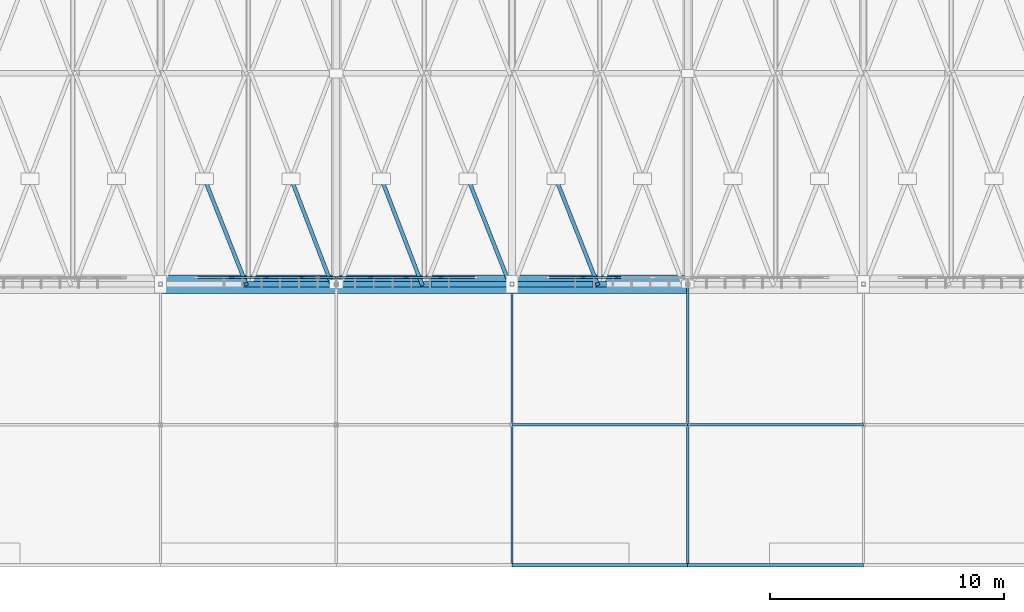
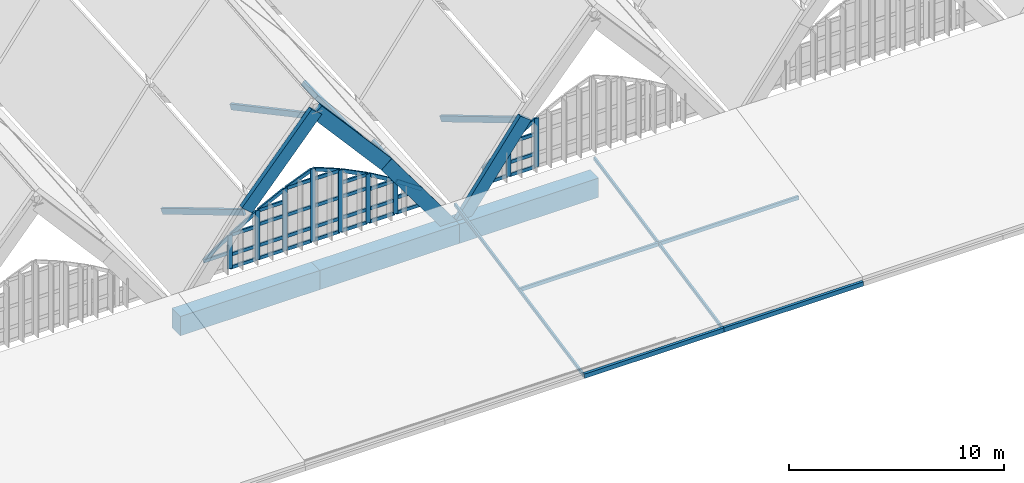
# One storey, part 31 of 93: 60 members, 7 beams, 2 elements without a shape of their own.
"""IFC4 building model written with IfcOpenShell, lengths in metres."""

import ifcopenshell
import ifcopenshell.guid

model = None  # the IFC model being written
_history = None  # IfcOwnerHistory: only IFC2X3 demands one
_inside = {}  # id of a spatial element -> (the spatial element, [elements in it])
_under = {}  # id of a project, library or spatial element -> (it, [spatial elements below it])
_declared = {}  # id of a project -> (the project, [libraries it declares])
_typed = {}  # id of a type object -> (the type object, [elements of that type])
_made_of = {}  # id of a material, layer set ... -> (it, [elements and type objects made of it])


def new_model(schema):
    """Start an empty IFC model of exactly this schema.

    Asked for "IFC4X3", IfcOpenShell would pick the latest addendum, in which some entities
    have other attributes; the version numbers below select the first issue.
    IFC2X3 requires an IfcOwnerHistory on every rooted entity: one is made here for all.
    """
    global model, _history
    if schema == "IFC4X3":
        model = ifcopenshell.file(schema_version=(4, 3, 0, 0))
    else:
        model = ifcopenshell.file(schema=schema)
    _inside.clear()
    _under.clear()
    _declared.clear()
    _typed.clear()
    _made_of.clear()
    _history = None
    if model.schema == "IFC2X3":
        org = make("IfcOrganization", Name="unknown")
        user = make(
            "IfcPersonAndOrganization",
            ThePerson=make("IfcPerson", FamilyName="unknown"),
            TheOrganization=org,
        )
        app = make(
            "IfcApplication",
            ApplicationDeveloper=org,
            Version="unknown",
            ApplicationFullName="unknown",
            ApplicationIdentifier="unknown",
        )
        _history = make(
            "IfcOwnerHistory",
            OwningUser=user,
            OwningApplication=app,
            ChangeAction="ADDED",
            CreationDate=0,
        )
    return model


def make(cls, **values):
    """One entity of the class cls with the attributes given. An attribute that is None is left unset."""
    return model.create_entity(
        cls, **{name: value for name, value in values.items() if value is not None}
    )


def rooted(cls, **values):
    """An entity with a GlobalId (a new one), such as an element, a storey or a relation."""
    return make(cls, GlobalId=ifcopenshell.guid.new(), OwnerHistory=_history, **values)


def si_unit(unit_type, name, prefix=None):
    """IfcSIUnit, for example si_unit("LENGTHUNIT", "METRE", prefix="MILLI")."""
    return make("IfcSIUnit", UnitType=unit_type, Prefix=prefix, Name=name)


def assignment(units):
    """IfcUnitAssignment: the units of a project."""
    return None if units is None else make("IfcUnitAssignment", Units=units)


def point(xyz):
    """IfcCartesianPoint."""
    return None if xyz is None else make("IfcCartesianPoint", Coordinates=xyz)


def direction(xyz):
    """IfcDirection."""
    return None if xyz is None else make("IfcDirection", DirectionRatios=xyz)


def frame(location, z_axis=None, x_axis=None):
    """IfcAxis2Placement3D, a coordinate frame: its origin and axes. An axis left out is left unset."""
    return make(
        "IfcAxis2Placement3D",
        Location=point(location),
        Axis=direction(z_axis),
        RefDirection=direction(x_axis),
    )


def frame_2d(location, x_axis=None):
    """IfcAxis2Placement2D, a coordinate frame in the plane: its origin and x axis."""
    return make(
        "IfcAxis2Placement2D", Location=point(location), RefDirection=direction(x_axis)
    )


def origin():
    """The frame at (0, 0, 0) with its axes left unset."""
    return frame((0.0, 0.0, 0.0))


def origin_2d():
    """The frame at (0, 0) in the plane with its x axis left unset."""
    return frame_2d((0.0, 0.0))


def place(relative_to, where):
    """IfcLocalPlacement: puts the frame where relative to a parent placement (None: the world)."""
    return make(
        "IfcLocalPlacement", PlacementRelTo=relative_to, RelativePlacement=where
    )


def context(
    kind, dimensions, precision=None, world=None, true_north=None, identifier=None
):
    """IfcGeometricRepresentationContext, for example the 3D "Model" context."""
    return make(
        "IfcGeometricRepresentationContext",
        ContextIdentifier=identifier,
        ContextType=kind,
        CoordinateSpaceDimension=dimensions,
        Precision=precision,
        WorldCoordinateSystem=world,
        TrueNorth=true_north,
    )


def subcontext(parent, identifier, kind, view, scale=None):
    """IfcGeometricRepresentationSubContext, for example "Body" below "Model"."""
    return make(
        "IfcGeometricRepresentationSubContext",
        ContextIdentifier=identifier,
        ContextType=kind,
        ParentContext=parent,
        TargetScale=scale,
        TargetView=view,
    )


def project(units=None, contexts=None):
    """IfcProject with its units and contexts."""
    return rooted(
        "IfcProject",
        Name="project",
        RepresentationContexts=contexts,
        UnitsInContext=assignment(units),
    )


def spatial(cls, under=None, at=None, **own):
    """A site, building, storey or space (cls), placed at a placement, below another one or the project."""
    s = rooted(cls, ObjectPlacement=at, **own)
    if under is not None:
        _under.setdefault(under.id(), (under, []))[1].append(s)
    return s


def profile(cls, at=None, kind="AREA", **sizes):
    """A parametric profile (cls). Its sizes go by their IFC names, for example OverallWidth=200.0."""
    return make(cls, ProfileType=kind, Position=at, **sizes)


def rectangle(**sizes):
    """IfcRectangleProfileDef."""
    return profile("IfcRectangleProfileDef", **sizes)


def hollow_rectangle(**sizes):
    """IfcRectangleHollowProfileDef."""
    return profile("IfcRectangleHollowProfileDef", **sizes)


def extrude(swept, where, along, depth):
    """IfcExtrudedAreaSolid: the profile swept, set in the frame where, extruded along a direction by depth."""
    return make(
        "IfcExtrudedAreaSolid",
        SweptArea=swept,
        Position=where,
        ExtrudedDirection=direction(along),
        Depth=depth,
    )


def shape(context_of_items, identifier, shape_type, items):
    """IfcShapeRepresentation: the items that make up one representation, for example the "Body"."""
    return make(
        "IfcShapeRepresentation",
        ContextOfItems=context_of_items,
        RepresentationIdentifier=identifier,
        RepresentationType=shape_type,
        Items=items,
    )


def material(Name=None, Category=None):
    """IfcMaterial."""
    return make("IfcMaterial", Name=Name, Category=Category)


def material_profile(
    of_material, cross_section, Name=None, Category=None, Priority=None
):
    """IfcMaterialProfile: a cross section and its material."""
    return make(
        "IfcMaterialProfile",
        Name=Name,
        Material=of_material,
        Profile=cross_section,
        Priority=Priority,
        Category=Category,
    )


def profile_set(profiles, Name=None, composite=None):
    """IfcMaterialProfileSet."""
    return make(
        "IfcMaterialProfileSet",
        Name=Name,
        MaterialProfiles=profiles,
        CompositeProfile=composite,
    )


def made_of(thing, what):
    """Note that an element or type object is made of a material, layer set ...; save() writes the relation."""
    if what is not None:
        _made_of.setdefault(what.id(), (what, []))[1].append(thing)
    return thing


def type_object(cls, material=None, **own):
    """A type object (cls), such as IfcWallType, which elements share."""
    return made_of(rooted(cls, **own), material)


def element(
    cls,
    number,
    at=None,
    inside=None,
    cuts=None,
    type_object=None,
    material=None,
    context=None,
    identifier="Body",
    shape_type=None,
    held_by="IfcProductDefinitionShape",
    body=None,
    shapes=None,
    **own,
):
    """One element of the class cls, such as IfcWall. Its Tag is "e" and its number.

    at: its placement. inside: the storey or other place that contains it. cuts: it is an
    opening in that element (IfcRelVoidsElement). A single representation is given by context,
    identifier, shape_type and body (its items); several are given by shapes. held_by: the class
    of the entity that holds the representations. save() writes the other relations.
    """
    e = rooted(cls, Tag="e%d" % number, ObjectPlacement=at, **own)
    if body is not None:
        shapes = [shape(context, identifier, shape_type, body)]
    if shapes is not None:
        e.Representation = make(held_by, Representations=shapes)
    if inside is not None:
        _inside.setdefault(inside.id(), (inside, []))[1].append(e)
    if cuts is not None:
        rooted(
            "IfcRelVoidsElement", RelatingBuildingElement=cuts, RelatedOpeningElement=e
        )
    if type_object is not None:
        _typed.setdefault(type_object.id(), (type_object, []))[1].append(e)
    return made_of(e, material)


def aggregate(whole, parts):
    """IfcRelAggregates: a whole, such as a stair, and the parts it consists of."""
    return rooted("IfcRelAggregates", RelatingObject=whole, RelatedObjects=parts)


def save(model, path):
    """Write the relations noted so far, then the file.

    IfcRelAggregates (storeys below a building ...), IfcRelContainedInSpatialStructure (elements
    in a storey), IfcRelDefinesByType, IfcRelAssociatesMaterial and IfcRelDeclares: one each for
    every whole, place, type object, material and project.
    """
    for whole, parts in _under.values():
        aggregate(whole, parts)
    for where, things in _inside.values():
        rooted(
            "IfcRelContainedInSpatialStructure",
            RelatedElements=things,
            RelatingStructure=where,
        )
    for kind, things in _typed.values():
        rooted("IfcRelDefinesByType", RelatedObjects=things, RelatingType=kind)
    for what, things in _made_of.values():
        rooted("IfcRelAssociatesMaterial", RelatedObjects=things, RelatingMaterial=what)
    for by, libraries in _declared.values():
        rooted("IfcRelDeclares", RelatingContext=by, RelatedDefinitions=libraries)
    model.write(path)


model = new_model("IFC4")

# Units and contexts
model_context = context("Model", 3, precision=1e-05, world=origin(), true_north=direction((0.0, 1.0)))
body_context = subcontext(model_context, "Body", "Model", "MODEL_VIEW")
ifc_project = project(units=[si_unit("LENGTHUNIT", "METRE"), si_unit("AREAUNIT", "SQUARE_METRE"), si_unit("VOLUMEUNIT", "CUBIC_METRE"), si_unit("PLANEANGLEUNIT", "RADIAN"), si_unit("MASSUNIT", "GRAM", prefix="KILO")], contexts=[model_context])

# Site, building, storey
site_placement = place(None, origin())
site = spatial("IfcSite", under=ifc_project, at=site_placement, CompositionType="ELEMENT")
building_placement = place(site_placement, origin())
building = spatial("IfcBuilding", under=site, at=building_placement, Name="Vourika Railside Aquatics Centre", CompositionType="ELEMENT")
storey_placement = place(building_placement, frame((0.0, 0.0, 21.89990234375)))
storey = spatial("IfcBuildingStorey", under=building, at=storey_placement, Name="Roof", CompositionType="ELEMENT", Elevation=21.89990234375)

# Beams
ifc_material_1 = material(Name="Glulam GL32h", Category="wood")
ifc_material_profile_1 = material_profile(ifc_material_1, rectangle(XDim=0.239990234375, YDim=0.719970703125, at=origin_2d()), Name="GL32h 240x720")
ifc_profile_set_1 = profile_set([ifc_material_profile_1], Name="Glulam GL32h")
beam_type_1 = type_object("IfcBeamType", Name="BM-GL-ARCH-240x720", PredefinedType="BEAM", material=ifc_profile_set_1)
for number, where, z_axis, x_axis, name in (
    (1, (69.75, 12.0, -6.599853515625), (0.657258623263, 0.0, 0.75366511273), (0.0, 1.0, 0.0), "Pointed Glulam Vault Arch Rib GAR-0070"),
    (2, (73.5, 12.0, -2.2998046875), (0.657258623263, 0.0, -0.75366511273), (0.0, 1.0, 0.0), "Pointed Glulam Vault Arch Rib GAR-0071"),
):
    element("IfcBeam", number, at=place(storey_placement, frame(where, z_axis=z_axis, x_axis=x_axis)), inside=storey, type_object=beam_type_1, Name=name, PredefinedType="BEAM", context=body_context, shape_type="SweptSolid", body=[
        extrude(rectangle(XDim=0.239990234375, YDim=0.719970703125, at=origin_2d()), origin(), (0.0, 0.0, 1.0), 5.70556640625),
    ])
for number, where, z_axis, x_axis, name in (
    (3, (77.25, 12.0, -6.599853515625), (0.592383087934, 0.0, -0.805656426233), (0.0, 1.0, 0.0), "Pointed Glulam Vault Arch Rib GAR-0072"),
    (4, (81.0, 12.0, -11.699951171875), (0.592383087934, 0.0, 0.805656426233), (0.0, 1.0, 0.0), "Pointed Glulam Vault Arch Rib GAR-0103"),
):
    element("IfcBeam", number, at=place(storey_placement, frame(where, z_axis=z_axis, x_axis=x_axis)), inside=storey, type_object=beam_type_1, Name=name, PredefinedType="BEAM", context=body_context, shape_type="SweptSolid", body=[
        extrude(rectangle(XDim=0.239990234375, YDim=0.719970703125, at=origin_2d()), origin(), (0.0, 0.0, 1.0), 6.330322265625),
    ])
ifc_material_2 = material(Name="Concrete C40/50", Category="concrete")
ifc_material_profile_2 = material_profile(ifc_material_2, rectangle(XDim=0.800048828125, YDim=1.10009765625, at=origin_2d()), Name="RC 800x1100")
ifc_profile_set_2 = profile_set([ifc_material_profile_2], Name="Concrete C40/50")
beam_type_2 = type_object("IfcBeamType", Name="BM-RING-800x1100", PredefinedType="BEAM", material=ifc_profile_set_2)
for number, where, z_axis, x_axis, name in (
    (5, (66.0, 12.0, -11.699951171875), (1.0, 0.0, 0.0), (0.0, 1.0, 0.0), "Vault Springing Ring Beam S (66.0-73.5)"),
    (6, (73.5, 12.0, -11.699951171875), (1.0, 0.0, 0.0), (0.0, 1.0, 0.0), "Vault Springing Ring Beam S (73.5-81.0)"),
    (7, (81.0, 12.0, -11.699951171875), (1.0, 0.0, 0.0), (0.0, 1.0, 0.0), "Vault Springing Ring Beam S (81.0-88.5)"),
):
    element("IfcBeam", number, at=place(storey_placement, frame(where, z_axis=z_axis, x_axis=x_axis)), inside=storey, type_object=beam_type_2, Name=name, PredefinedType="BEAM", context=body_context, shape_type="SweptSolid", body=[
        extrude(rectangle(XDim=0.800048828125, YDim=1.10009765625, at=origin_2d()), origin(), (0.0, 0.0, 1.0), 7.5),
    ])

# Curtain wall, members
ifc_material_3 = material(Name="Anodized thermally broken aluminium", Category="aluminium")
curtain_wall_type = type_object("IfcCurtainWallType", Name="CW-VLTS2", PredefinedType="NOTDEFINED", material=ifc_material_3)
curtain_wall_1_placement = place(storey_placement, origin())
curtain_wall_1 = element("IfcCurtainWall", 8, at=curtain_wall_1_placement, inside=storey, type_object=curtain_wall_type, Name="South Boulevard Pointed-Arch Clerestory Curtain Wall Bay 3", PredefinedType="NOTDEFINED")
ifc_material_4 = material(Name="Anodized aluminium mullion", Category="aluminium")
ifc_material_profile_3 = material_profile(ifc_material_4, rectangle(XDim=0.087890625, YDim=0.2451171875, at=origin_2d()), Name="ALU-M 88x245")
ifc_profile_set_3 = profile_set([ifc_material_profile_3], Name="Anodized aluminium mullion")
member_type_1 = type_object("IfcMemberType", Name="CWM-VLTS2", PredefinedType="MULLION", material=ifc_profile_set_3)
member_1_placement = place(storey_placement, frame((69.03759765625, 12.280029296875, -9.8798828125), z_axis=(0.0, 0.0, 1.0), x_axis=(0.0, 1.0, 0.0)))
member_1 = element("IfcMember", 9, at=member_1_placement, type_object=member_type_1, Name="CW04 arch mullion 2", PredefinedType="MULLION", context=body_context, shape_type="SweptSolid", body=[
    extrude(rectangle(XDim=0.087890625, YDim=0.2451171875, at=origin_2d()), origin(), (0.0, 0.0, 1.0), 1.906005859375),
])
member_2_placement = place(storey_placement, frame((70.52490234375, 12.280029296875, -9.8798828125), z_axis=(0.0, 0.0, 1.0), x_axis=(0.0, 1.0, 0.0)))
member_2 = element("IfcMember", 10, at=member_2_placement, type_object=member_type_1, Name="CW04 arch mullion 3", PredefinedType="MULLION", context=body_context, shape_type="SweptSolid", body=[
    extrude(rectangle(XDim=0.087890625, YDim=0.2451171875, at=origin_2d()), origin(), (0.0, 0.0, 1.0), 2.7890625),
])
member_3_placement = place(storey_placement, frame((72.012451171875, 12.280029296875, -9.8798828125), z_axis=(0.0, 0.0, 1.0), x_axis=(0.0, 1.0, 0.0)))
member_3 = element("IfcMember", 11, at=member_3_placement, type_object=member_type_1, Name="CW04 arch mullion 4", PredefinedType="MULLION", context=body_context, shape_type="SweptSolid", body=[
    extrude(rectangle(XDim=0.087890625, YDim=0.2451171875, at=origin_2d()), origin(), (0.0, 0.0, 1.0), 3.531005859375),
])
member_4_placement = place(storey_placement, frame((73.5, 12.280029296875, -9.8798828125), z_axis=(0.0, 0.0, 1.0), x_axis=(0.0, 1.0, 0.0)))
member_4 = element("IfcMember", 12, at=member_4_placement, type_object=member_type_1, Name="CW04 arch mullion 5", PredefinedType="MULLION", context=body_context, shape_type="SweptSolid", body=[
    extrude(rectangle(XDim=0.087890625, YDim=0.2451171875, at=origin_2d()), origin(), (0.0, 0.0, 1.0), 4.1298828125),
])
member_5_placement = place(storey_placement, frame((74.987548828125, 12.280029296875, -9.8798828125), z_axis=(0.0, 0.0, 1.0), x_axis=(0.0, 1.0, 0.0)))
member_5 = element("IfcMember", 13, at=member_5_placement, type_object=member_type_1, Name="CW04 arch mullion 6", PredefinedType="MULLION", context=body_context, shape_type="SweptSolid", body=[
    extrude(rectangle(XDim=0.087890625, YDim=0.2451171875, at=origin_2d()), origin(), (0.0, 0.0, 1.0), 3.531005859375),
])
member_6_placement = place(storey_placement, frame((76.47509765625, 12.280029296875, -9.8798828125), z_axis=(0.0, 0.0, 1.0), x_axis=(0.0, 1.0, 0.0)))
member_6 = element("IfcMember", 14, at=member_6_placement, type_object=member_type_1, Name="CW04 arch mullion 7", PredefinedType="MULLION", context=body_context, shape_type="SweptSolid", body=[
    extrude(rectangle(XDim=0.087890625, YDim=0.2451171875, at=origin_2d()), origin(), (0.0, 0.0, 1.0), 2.7890625),
])
member_7_placement = place(storey_placement, frame((77.96240234375, 12.280029296875, -9.8798828125), z_axis=(0.0, 0.0, 1.0), x_axis=(0.0, 1.0, 0.0)))
member_7 = element("IfcMember", 15, at=member_7_placement, type_object=member_type_1, Name="CW04 arch mullion 8", PredefinedType="MULLION", context=body_context, shape_type="SweptSolid", body=[
    extrude(rectangle(XDim=0.087890625, YDim=0.2451171875, at=origin_2d()), origin(), (0.0, 0.0, 1.0), 1.906005859375),
])

curtain_wall_2_placement = place(storey_placement, origin())
curtain_wall_2 = element("IfcCurtainWall", 16, at=curtain_wall_2_placement, inside=storey, type_object=curtain_wall_type, Name="South Boulevard Pointed-Arch Clerestory Curtain Wall Bay 4", PredefinedType="NOTDEFINED")
member_8_placement = place(storey_placement, frame((84.03759765625, 12.280029296875, -9.8798828125), z_axis=(0.0, 0.0, 1.0), x_axis=(0.0, 1.0, 0.0)))
member_8 = element("IfcMember", 17, at=member_8_placement, type_object=member_type_1, Name="CW04 arch mullion 2", PredefinedType="MULLION", context=body_context, shape_type="SweptSolid", body=[
    extrude(rectangle(XDim=0.087890625, YDim=0.2451171875, at=origin_2d()), origin(), (0.0, 0.0, 1.0), 1.906005859375),
])
member_9_placement = place(storey_placement, frame((85.52490234375, 12.280029296875, -9.8798828125), z_axis=(0.0, 0.0, 1.0), x_axis=(0.0, 1.0, 0.0)))
member_9 = element("IfcMember", 18, at=member_9_placement, type_object=member_type_1, Name="CW04 arch mullion 3", PredefinedType="MULLION", context=body_context, shape_type="SweptSolid", body=[
    extrude(rectangle(XDim=0.087890625, YDim=0.2451171875, at=origin_2d()), origin(), (0.0, 0.0, 1.0), 2.7890625),
])

# Member
ifc_material_5 = material(Name="Anodized aluminium transom", Category="aluminium")
ifc_material_profile_4 = material_profile(ifc_material_5, rectangle(XDim=0.087890625, YDim=0.19189453125, at=origin_2d()), Name="ALU-T 88x192")
ifc_profile_set_4 = profile_set([ifc_material_profile_4], Name="Anodized aluminium transom")
member_type_2 = type_object("IfcMemberType", Name="CWT-VLTS2", PredefinedType="USERDEFINED", material=ifc_profile_set_4)
member_10_placement = place(storey_placement, frame((67.637939453125, 12.280029296875, -8.97900390625), z_axis=(1.0, 0.0, 0.0), x_axis=(0.0, 1.0, 0.0)))
member_10 = element("IfcMember", 19, at=member_10_placement, type_object=member_type_2, Name="CW04 transom 1.2", ObjectType="TRANSOM", PredefinedType="USERDEFINED", context=body_context, shape_type="SweptSolid", body=[
    extrude(rectangle(XDim=0.087890625, YDim=0.19189453125, at=origin_2d()), origin(), (0.0, 0.0, 1.0), 1.35546875),
])

member_11_placement = place(storey_placement, frame((67.637939453125, 12.280029296875, -8.97900390625), z_axis=(0.823972633767, 0.0, 0.566629595771), x_axis=(0.0, 1.0, 0.0)))
member_11 = element("IfcMember", 20, at=member_11_placement, type_object=member_type_2, Name="CW04 arch chord transom 1", ObjectType="TRANSOM", PredefinedType="USERDEFINED", context=body_context, shape_type="SweptSolid", body=[
    extrude(rectangle(XDim=0.087890625, YDim=0.19189453125, at=origin_2d()), origin(), (0.0, 0.0, 1.0), 1.64501953125),
])

member_12_placement = place(storey_placement, frame((69.08154296875, 12.280029296875, -9.8359375), z_axis=(1.0, 0.0, 0.0), x_axis=(0.0, 1.0, 0.0)))
member_12 = element("IfcMember", 21, at=member_12_placement, type_object=member_type_2, Name="CW04 transom 2.1", ObjectType="TRANSOM", PredefinedType="USERDEFINED", context=body_context, shape_type="SweptSolid", body=[
    extrude(rectangle(XDim=0.087890625, YDim=0.19189453125, at=origin_2d()), origin(), (0.0, 0.0, 1.0), 1.3994140625),
])

member_13_placement = place(storey_placement, frame((69.08154296875, 12.280029296875, -9.099853515625), z_axis=(1.0, 0.0, 0.0), x_axis=(0.0, 1.0, 0.0)))
member_13 = element("IfcMember", 22, at=member_13_placement, type_object=member_type_2, Name="CW04 transom 2.2", ObjectType="TRANSOM", PredefinedType="USERDEFINED", context=body_context, shape_type="SweptSolid", body=[
    extrude(rectangle(XDim=0.087890625, YDim=0.19189453125, at=origin_2d()), origin(), (0.0, 0.0, 1.0), 1.3994140625),
])

member_14_placement = place(storey_placement, frame((69.08154296875, 12.280029296875, -7.989990234375), z_axis=(1.0, 0.0, 0.0), x_axis=(0.0, 1.0, 0.0)))
member_14 = element("IfcMember", 23, at=member_14_placement, type_object=member_type_2, Name="CW04 transom 2.3", ObjectType="TRANSOM", PredefinedType="USERDEFINED", context=body_context, shape_type="SweptSolid", body=[
    extrude(rectangle(XDim=0.087890625, YDim=0.19189453125, at=origin_2d()), origin(), (0.0, 0.0, 1.0), 1.3994140625),
])

member_15_placement = place(storey_placement, frame((69.08154296875, 12.280029296875, -7.989990234375), z_axis=(0.859813585162, 0.0, 0.510608067671), x_axis=(0.0, 1.0, 0.0)))
member_15 = element("IfcMember", 24, at=member_15_placement, type_object=member_type_2, Name="CW04 arch chord transom 2", ObjectType="TRANSOM", PredefinedType="USERDEFINED", context=body_context, shape_type="SweptSolid", body=[
    extrude(rectangle(XDim=0.087890625, YDim=0.19189453125, at=origin_2d()), origin(), (0.0, 0.0, 1.0), 1.627685546875),
])

member_16_placement = place(storey_placement, frame((70.569091796875, 12.280029296875, -9.8359375), z_axis=(1.0, 0.0, 0.0), x_axis=(0.0, 1.0, 0.0)))
member_16 = element("IfcMember", 25, at=member_16_placement, type_object=member_type_2, Name="CW04 transom 3.1", ObjectType="TRANSOM", PredefinedType="USERDEFINED", context=body_context, shape_type="SweptSolid", body=[
    extrude(rectangle(XDim=0.087890625, YDim=0.19189453125, at=origin_2d()), origin(), (0.0, 0.0, 1.0), 1.3994140625),
])

member_17_placement = place(storey_placement, frame((70.569091796875, 12.280029296875, -9.099853515625), z_axis=(1.0, 0.0, 0.0), x_axis=(0.0, 1.0, 0.0)))
member_17 = element("IfcMember", 26, at=member_17_placement, type_object=member_type_2, Name="CW04 transom 3.2", ObjectType="TRANSOM", PredefinedType="USERDEFINED", context=body_context, shape_type="SweptSolid", body=[
    extrude(rectangle(XDim=0.087890625, YDim=0.19189453125, at=origin_2d()), origin(), (0.0, 0.0, 1.0), 1.3994140625),
])

member_18_placement = place(storey_placement, frame((70.569091796875, 12.280029296875, -7.89990234375), z_axis=(1.0, 0.0, 0.0), x_axis=(0.0, 1.0, 0.0)))
member_18 = element("IfcMember", 27, at=member_18_placement, type_object=member_type_2, Name="CW04 transom 3.3", ObjectType="TRANSOM", PredefinedType="USERDEFINED", context=body_context, shape_type="SweptSolid", body=[
    extrude(rectangle(XDim=0.087890625, YDim=0.19189453125, at=origin_2d()), origin(), (0.0, 0.0, 1.0), 1.3994140625),
])

member_19_placement = place(storey_placement, frame((70.569091796875, 12.280029296875, -7.11083984375), z_axis=(1.0, 0.0, 0.0), x_axis=(0.0, 1.0, 0.0)))
member_19 = element("IfcMember", 28, at=member_19_placement, type_object=member_type_2, Name="CW04 transom 3.4", ObjectType="TRANSOM", PredefinedType="USERDEFINED", context=body_context, shape_type="SweptSolid", body=[
    extrude(rectangle(XDim=0.087890625, YDim=0.19189453125, at=origin_2d()), origin(), (0.0, 0.0, 1.0), 1.3994140625),
])

member_20_placement = place(storey_placement, frame((70.569091796875, 12.280029296875, -7.11083984375), z_axis=(0.894863891939, 0.0, 0.446339125446), x_axis=(0.0, 1.0, 0.0)))
member_20 = element("IfcMember", 29, at=member_20_placement, type_object=member_type_2, Name="CW04 arch chord transom 3", ObjectType="TRANSOM", PredefinedType="USERDEFINED", context=body_context, shape_type="SweptSolid", body=[
    extrude(rectangle(XDim=0.087890625, YDim=0.19189453125, at=origin_2d()), origin(), (0.0, 0.0, 1.0), 1.563720703125),
])

member_21_placement = place(storey_placement, frame((72.056396484375, 12.280029296875, -9.8359375), z_axis=(1.0, 0.0, 0.0), x_axis=(0.0, 1.0, 0.0)))
member_21 = element("IfcMember", 30, at=member_21_placement, type_object=member_type_2, Name="CW04 transom 4.1", ObjectType="TRANSOM", PredefinedType="USERDEFINED", context=body_context, shape_type="SweptSolid", body=[
    extrude(rectangle(XDim=0.087890625, YDim=0.19189453125, at=origin_2d()), origin(), (0.0, 0.0, 1.0), 1.399658203125),
])

member_22_placement = place(storey_placement, frame((72.056396484375, 12.280029296875, -9.099853515625), z_axis=(1.0, 0.0, 0.0), x_axis=(0.0, 1.0, 0.0)))
member_22 = element("IfcMember", 31, at=member_22_placement, type_object=member_type_2, Name="CW04 transom 4.2", ObjectType="TRANSOM", PredefinedType="USERDEFINED", context=body_context, shape_type="SweptSolid", body=[
    extrude(rectangle(XDim=0.087890625, YDim=0.19189453125, at=origin_2d()), origin(), (0.0, 0.0, 1.0), 1.399658203125),
])

member_23_placement = place(storey_placement, frame((72.056396484375, 12.280029296875, -7.89990234375), z_axis=(1.0, 0.0, 0.0), x_axis=(0.0, 1.0, 0.0)))
member_23 = element("IfcMember", 32, at=member_23_placement, type_object=member_type_2, Name="CW04 transom 4.3", ObjectType="TRANSOM", PredefinedType="USERDEFINED", context=body_context, shape_type="SweptSolid", body=[
    extrude(rectangle(XDim=0.087890625, YDim=0.19189453125, at=origin_2d()), origin(), (0.0, 0.0, 1.0), 1.399658203125),
])

member_24_placement = place(storey_placement, frame((72.056396484375, 12.280029296875, -6.372802734375), z_axis=(1.0, 0.0, 0.0), x_axis=(0.0, 1.0, 0.0)))
member_24 = element("IfcMember", 33, at=member_24_placement, type_object=member_type_2, Name="CW04 transom 4.4", ObjectType="TRANSOM", PredefinedType="USERDEFINED", context=body_context, shape_type="SweptSolid", body=[
    extrude(rectangle(XDim=0.087890625, YDim=0.19189453125, at=origin_2d()), origin(), (0.0, 0.0, 1.0), 1.399658203125),
])

member_25_placement = place(storey_placement, frame((72.056396484375, 12.280029296875, -6.372802734375), z_axis=(0.927760697817, 0.0, 0.373175679254), x_axis=(0.0, 1.0, 0.0)))
member_25 = element("IfcMember", 34, at=member_25_placement, type_object=member_type_2, Name="CW04 arch chord transom 4", ObjectType="TRANSOM", PredefinedType="USERDEFINED", context=body_context, shape_type="SweptSolid", body=[
    extrude(rectangle(XDim=0.087890625, YDim=0.19189453125, at=origin_2d()), origin(), (0.0, 0.0, 1.0), 1.508544921875),
])

member_26_placement = place(storey_placement, frame((73.5439453125, 12.280029296875, -9.8359375), z_axis=(1.0, 0.0, 0.0), x_axis=(0.0, 1.0, 0.0)))
member_26 = element("IfcMember", 35, at=member_26_placement, type_object=member_type_2, Name="CW04 transom 5.1", ObjectType="TRANSOM", PredefinedType="USERDEFINED", context=body_context, shape_type="SweptSolid", body=[
    extrude(rectangle(XDim=0.087890625, YDim=0.19189453125, at=origin_2d()), origin(), (0.0, 0.0, 1.0), 1.399658203125),
])

member_27_placement = place(storey_placement, frame((73.5439453125, 12.280029296875, -9.099853515625), z_axis=(1.0, 0.0, 0.0), x_axis=(0.0, 1.0, 0.0)))
member_27 = element("IfcMember", 36, at=member_27_placement, type_object=member_type_2, Name="CW04 transom 5.2", ObjectType="TRANSOM", PredefinedType="USERDEFINED", context=body_context, shape_type="SweptSolid", body=[
    extrude(rectangle(XDim=0.087890625, YDim=0.19189453125, at=origin_2d()), origin(), (0.0, 0.0, 1.0), 1.399658203125),
])

member_28_placement = place(storey_placement, frame((73.5439453125, 12.280029296875, -7.89990234375), z_axis=(1.0, 0.0, 0.0), x_axis=(0.0, 1.0, 0.0)))
member_28 = element("IfcMember", 37, at=member_28_placement, type_object=member_type_2, Name="CW04 transom 5.3", ObjectType="TRANSOM", PredefinedType="USERDEFINED", context=body_context, shape_type="SweptSolid", body=[
    extrude(rectangle(XDim=0.087890625, YDim=0.19189453125, at=origin_2d()), origin(), (0.0, 0.0, 1.0), 1.399658203125),
])

member_29_placement = place(storey_placement, frame((73.5439453125, 12.280029296875, -6.372802734375), z_axis=(1.0, 0.0, 0.0), x_axis=(0.0, 1.0, 0.0)))
member_29 = element("IfcMember", 38, at=member_29_placement, type_object=member_type_2, Name="CW04 transom 5.4", ObjectType="TRANSOM", PredefinedType="USERDEFINED", context=body_context, shape_type="SweptSolid", body=[
    extrude(rectangle(XDim=0.087890625, YDim=0.19189453125, at=origin_2d()), origin(), (0.0, 0.0, 1.0), 1.399658203125),
])

member_30_placement = place(storey_placement, frame((73.5439453125, 12.280029296875, -5.809814453125), z_axis=(0.927760697817, 0.0, -0.373175679254), x_axis=(0.0, 1.0, 0.0)))
member_30 = element("IfcMember", 39, at=member_30_placement, type_object=member_type_2, Name="CW04 arch chord transom 5", ObjectType="TRANSOM", PredefinedType="USERDEFINED", context=body_context, shape_type="SweptSolid", body=[
    extrude(rectangle(XDim=0.087890625, YDim=0.19189453125, at=origin_2d()), origin(), (0.0, 0.0, 1.0), 1.508544921875),
])

member_31_placement = place(storey_placement, frame((75.031494140625, 12.280029296875, -9.8359375), z_axis=(1.0, 0.0, 0.0), x_axis=(0.0, 1.0, 0.0)))
member_31 = element("IfcMember", 40, at=member_31_placement, type_object=member_type_2, Name="CW04 transom 6.1", ObjectType="TRANSOM", PredefinedType="USERDEFINED", context=body_context, shape_type="SweptSolid", body=[
    extrude(rectangle(XDim=0.087890625, YDim=0.19189453125, at=origin_2d()), origin(), (0.0, 0.0, 1.0), 1.3994140625),
])

member_32_placement = place(storey_placement, frame((75.031494140625, 12.280029296875, -9.099853515625), z_axis=(1.0, 0.0, 0.0), x_axis=(0.0, 1.0, 0.0)))
member_32 = element("IfcMember", 41, at=member_32_placement, type_object=member_type_2, Name="CW04 transom 6.2", ObjectType="TRANSOM", PredefinedType="USERDEFINED", context=body_context, shape_type="SweptSolid", body=[
    extrude(rectangle(XDim=0.087890625, YDim=0.19189453125, at=origin_2d()), origin(), (0.0, 0.0, 1.0), 1.3994140625),
])

member_33_placement = place(storey_placement, frame((75.031494140625, 12.280029296875, -7.89990234375), z_axis=(1.0, 0.0, 0.0), x_axis=(0.0, 1.0, 0.0)))
member_33 = element("IfcMember", 42, at=member_33_placement, type_object=member_type_2, Name="CW04 transom 6.3", ObjectType="TRANSOM", PredefinedType="USERDEFINED", context=body_context, shape_type="SweptSolid", body=[
    extrude(rectangle(XDim=0.087890625, YDim=0.19189453125, at=origin_2d()), origin(), (0.0, 0.0, 1.0), 1.3994140625),
])

member_34_placement = place(storey_placement, frame((75.031494140625, 12.280029296875, -7.11083984375), z_axis=(1.0, 0.0, 0.0), x_axis=(0.0, 1.0, 0.0)))
member_34 = element("IfcMember", 43, at=member_34_placement, type_object=member_type_2, Name="CW04 transom 6.4", ObjectType="TRANSOM", PredefinedType="USERDEFINED", context=body_context, shape_type="SweptSolid", body=[
    extrude(rectangle(XDim=0.087890625, YDim=0.19189453125, at=origin_2d()), origin(), (0.0, 0.0, 1.0), 1.3994140625),
])

member_35_placement = place(storey_placement, frame((75.031494140625, 12.280029296875, -6.412841796875), z_axis=(0.894863891939, 0.0, -0.446339125446), x_axis=(0.0, 1.0, 0.0)))
member_35 = element("IfcMember", 44, at=member_35_placement, type_object=member_type_2, Name="CW04 arch chord transom 6", ObjectType="TRANSOM", PredefinedType="USERDEFINED", context=body_context, shape_type="SweptSolid", body=[
    extrude(rectangle(XDim=0.087890625, YDim=0.19189453125, at=origin_2d()), origin(), (0.0, 0.0, 1.0), 1.563720703125),
])

member_36_placement = place(storey_placement, frame((76.51904296875, 12.280029296875, -9.8359375), z_axis=(1.0, 0.0, 0.0), x_axis=(0.0, 1.0, 0.0)))
member_36 = element("IfcMember", 45, at=member_36_placement, type_object=member_type_2, Name="CW04 transom 7.1", ObjectType="TRANSOM", PredefinedType="USERDEFINED", context=body_context, shape_type="SweptSolid", body=[
    extrude(rectangle(XDim=0.087890625, YDim=0.19189453125, at=origin_2d()), origin(), (0.0, 0.0, 1.0), 1.3994140625),
])

member_37_placement = place(storey_placement, frame((76.51904296875, 12.280029296875, -9.099853515625), z_axis=(1.0, 0.0, 0.0), x_axis=(0.0, 1.0, 0.0)))
member_37 = element("IfcMember", 46, at=member_37_placement, type_object=member_type_2, Name="CW04 transom 7.2", ObjectType="TRANSOM", PredefinedType="USERDEFINED", context=body_context, shape_type="SweptSolid", body=[
    extrude(rectangle(XDim=0.087890625, YDim=0.19189453125, at=origin_2d()), origin(), (0.0, 0.0, 1.0), 1.3994140625),
])

member_38_placement = place(storey_placement, frame((76.51904296875, 12.280029296875, -7.989990234375), z_axis=(1.0, 0.0, 0.0), x_axis=(0.0, 1.0, 0.0)))
member_38 = element("IfcMember", 47, at=member_38_placement, type_object=member_type_2, Name="CW04 transom 7.3", ObjectType="TRANSOM", PredefinedType="USERDEFINED", context=body_context, shape_type="SweptSolid", body=[
    extrude(rectangle(XDim=0.087890625, YDim=0.19189453125, at=origin_2d()), origin(), (0.0, 0.0, 1.0), 1.3994140625),
])

member_39_placement = place(storey_placement, frame((76.51904296875, 12.280029296875, -7.158935546875), z_axis=(0.859813585162, 0.0, -0.510608067671), x_axis=(0.0, 1.0, 0.0)))
member_39 = element("IfcMember", 48, at=member_39_placement, type_object=member_type_2, Name="CW04 arch chord transom 7", ObjectType="TRANSOM", PredefinedType="USERDEFINED", context=body_context, shape_type="SweptSolid", body=[
    extrude(rectangle(XDim=0.087890625, YDim=0.19189453125, at=origin_2d()), origin(), (0.0, 0.0, 1.0), 1.627685546875),
])

member_40_placement = place(storey_placement, frame((78.006591796875, 12.280029296875, -9.8359375), z_axis=(1.0, 0.0, 0.0), x_axis=(0.0, 1.0, 0.0)))
member_40 = element("IfcMember", 49, at=member_40_placement, type_object=member_type_2, Name="CW04 transom 8.1", ObjectType="TRANSOM", PredefinedType="USERDEFINED", context=body_context, shape_type="SweptSolid", body=[
    extrude(rectangle(XDim=0.087890625, YDim=0.19189453125, at=origin_2d()), origin(), (0.0, 0.0, 1.0), 1.35546875),
])

member_41_placement = place(storey_placement, frame((78.006591796875, 12.280029296875, -8.97900390625), z_axis=(1.0, 0.0, 0.0), x_axis=(0.0, 1.0, 0.0)))
member_41 = element("IfcMember", 50, at=member_41_placement, type_object=member_type_2, Name="CW04 transom 8.2", ObjectType="TRANSOM", PredefinedType="USERDEFINED", context=body_context, shape_type="SweptSolid", body=[
    extrude(rectangle(XDim=0.087890625, YDim=0.19189453125, at=origin_2d()), origin(), (0.0, 0.0, 1.0), 1.35546875),
])

member_42_placement = place(storey_placement, frame((78.006591796875, 12.280029296875, -8.046875), z_axis=(0.823972633767, 0.0, -0.566629595771), x_axis=(0.0, 1.0, 0.0)))
member_42 = element("IfcMember", 51, at=member_42_placement, type_object=member_type_2, Name="CW04 arch chord transom 8", ObjectType="TRANSOM", PredefinedType="USERDEFINED", context=body_context, shape_type="SweptSolid", body=[
    extrude(rectangle(XDim=0.087890625, YDim=0.19189453125, at=origin_2d()), origin(), (0.0, 0.0, 1.0), 1.64501953125),
])

aggregate(curtain_wall_1, [member_1, member_2, member_3, member_4, member_5, member_6, member_7, member_10, member_11, member_12, member_13, member_14, member_15, member_16, member_17, member_18, member_19, member_20, member_21, member_22, member_23, member_24, member_25, member_26, member_27, member_28, member_29, member_30, member_31, member_32, member_33, member_34, member_35, member_36, member_37, member_38, member_39, member_40, member_41, member_42])

member_43_placement = place(storey_placement, frame((82.637939453125, 12.280029296875, -9.8359375), z_axis=(1.0, 0.0, 0.0), x_axis=(0.0, 1.0, 0.0)))
member_43 = element("IfcMember", 52, at=member_43_placement, type_object=member_type_2, Name="CW04 transom 1.1", ObjectType="TRANSOM", PredefinedType="USERDEFINED", context=body_context, shape_type="SweptSolid", body=[
    extrude(rectangle(XDim=0.087890625, YDim=0.19189453125, at=origin_2d()), origin(), (0.0, 0.0, 1.0), 1.35546875),
])

member_44_placement = place(storey_placement, frame((82.637939453125, 12.280029296875, -8.97900390625), z_axis=(1.0, 0.0, 0.0), x_axis=(0.0, 1.0, 0.0)))
member_44 = element("IfcMember", 53, at=member_44_placement, type_object=member_type_2, Name="CW04 transom 1.2", ObjectType="TRANSOM", PredefinedType="USERDEFINED", context=body_context, shape_type="SweptSolid", body=[
    extrude(rectangle(XDim=0.087890625, YDim=0.19189453125, at=origin_2d()), origin(), (0.0, 0.0, 1.0), 1.35546875),
])

member_45_placement = place(storey_placement, frame((82.637939453125, 12.280029296875, -8.97900390625), z_axis=(0.823972633767, 0.0, 0.566629595771), x_axis=(0.0, 1.0, 0.0)))
member_45 = element("IfcMember", 54, at=member_45_placement, type_object=member_type_2, Name="CW04 arch chord transom 1", ObjectType="TRANSOM", PredefinedType="USERDEFINED", context=body_context, shape_type="SweptSolid", body=[
    extrude(rectangle(XDim=0.087890625, YDim=0.19189453125, at=origin_2d()), origin(), (0.0, 0.0, 1.0), 1.64501953125),
])

member_46_placement = place(storey_placement, frame((84.08154296875, 12.280029296875, -9.8359375), z_axis=(1.0, 0.0, 0.0), x_axis=(0.0, 1.0, 0.0)))
member_46 = element("IfcMember", 55, at=member_46_placement, type_object=member_type_2, Name="CW04 transom 2.1", ObjectType="TRANSOM", PredefinedType="USERDEFINED", context=body_context, shape_type="SweptSolid", body=[
    extrude(rectangle(XDim=0.087890625, YDim=0.19189453125, at=origin_2d()), origin(), (0.0, 0.0, 1.0), 1.3994140625),
])

member_47_placement = place(storey_placement, frame((84.08154296875, 12.280029296875, -9.099853515625), z_axis=(1.0, 0.0, 0.0), x_axis=(0.0, 1.0, 0.0)))
member_47 = element("IfcMember", 56, at=member_47_placement, type_object=member_type_2, Name="CW04 transom 2.2", ObjectType="TRANSOM", PredefinedType="USERDEFINED", context=body_context, shape_type="SweptSolid", body=[
    extrude(rectangle(XDim=0.087890625, YDim=0.19189453125, at=origin_2d()), origin(), (0.0, 0.0, 1.0), 1.3994140625),
])

member_48_placement = place(storey_placement, frame((84.08154296875, 12.280029296875, -7.989990234375), z_axis=(1.0, 0.0, 0.0), x_axis=(0.0, 1.0, 0.0)))
member_48 = element("IfcMember", 57, at=member_48_placement, type_object=member_type_2, Name="CW04 transom 2.3", ObjectType="TRANSOM", PredefinedType="USERDEFINED", context=body_context, shape_type="SweptSolid", body=[
    extrude(rectangle(XDim=0.087890625, YDim=0.19189453125, at=origin_2d()), origin(), (0.0, 0.0, 1.0), 1.3994140625),
])

member_49_placement = place(storey_placement, frame((84.08154296875, 12.280029296875, -7.989990234375), z_axis=(0.859813585162, 0.0, 0.510608067671), x_axis=(0.0, 1.0, 0.0)))
member_49 = element("IfcMember", 58, at=member_49_placement, type_object=member_type_2, Name="CW04 arch chord transom 2", ObjectType="TRANSOM", PredefinedType="USERDEFINED", context=body_context, shape_type="SweptSolid", body=[
    extrude(rectangle(XDim=0.087890625, YDim=0.19189453125, at=origin_2d()), origin(), (0.0, 0.0, 1.0), 1.627685546875),
])

aggregate(curtain_wall_2, [member_8, member_9, member_43, member_44, member_45, member_46, member_47, member_48, member_49])

# Members
ifc_material_6 = material(Name="Glulam GL28h", Category="wood")
ifc_material_profile_5 = material_profile(ifc_material_6, rectangle(XDim=0.159912109375, YDim=0.320068359375, at=origin_2d()), Name="GL28h 160x320")
ifc_profile_set_5 = profile_set([ifc_material_profile_5], Name="Glulam GL28h")
member_type_3 = type_object("IfcMemberType", Name="MEM-GL-LATH2", PredefinedType="BRACE", material=ifc_profile_set_5)
member_50_placement = place(storey_placement, frame((69.655029296875, 12.0, -6.72021484375), z_axis=(-0.339212920269, 0.857546639199, -0.386714825576), x_axis=(-0.929892910811, -0.367830360933, 0.0)))
element("IfcMember", 59, at=member_50_placement, inside=storey, type_object=member_type_3, Name="Gridshell Split Counter Lath GLB1-0114", PredefinedType="BRACE", context=body_context, shape_type="SweptSolid", body=[
    extrude(rectangle(XDim=0.159912109375, YDim=0.320068359375, at=origin_2d()), origin(), (0.0, 0.0, 1.0), 5.24755859375),
])
member_51_placement = place(storey_placement, frame((73.300048828125, 12.0, -2.5205078125), z_axis=(-0.340375084547, 0.886629954547, -0.31310082325), x_axis=(-0.933569951957, -0.358395235463, 0.0)))
element("IfcMember", 60, at=member_51_placement, inside=storey, type_object=member_type_3, Name="Gridshell Split Counter Lath GLB1-0116", PredefinedType="BRACE", context=body_context, shape_type="SweptSolid", body=[
    extrude(rectangle(XDim=0.159912109375, YDim=0.320068359375, at=origin_2d()), origin(), (0.0, 0.0, 1.0), 5.075439453125),
])
member_52_placement = place(storey_placement, frame((77.155029296875, 12.0, -6.482177734375), z_axis=(-0.321554017818, 0.837603682367, 0.441614181057), x_axis=(-0.933569951957, -0.358395235463, 0.0)))
element("IfcMember", 61, at=member_52_placement, inside=storey, type_object=member_type_3, Name="Gridshell Split Counter Lath GLB1-0118", PredefinedType="BRACE", context=body_context, shape_type="SweptSolid", body=[
    extrude(rectangle(XDim=0.159912109375, YDim=0.320068359375, at=origin_2d()), origin(), (0.0, 0.0, 1.0), 5.37255859375),
])
member_53_placement = place(storey_placement, frame((80.905029296875, 12.0, -11.56201171875), z_axis=(-0.318021320636, 0.803973252223, 0.502483282639), x_axis=(-0.929892910811, -0.367830360933, 0.0)))
element("IfcMember", 62, at=member_53_placement, inside=storey, type_object=member_type_3, Name="Gridshell Split Counter Lath GLB1-0120", PredefinedType="BRACE", context=body_context, shape_type="SweptSolid", body=[
    extrude(rectangle(XDim=0.159912109375, YDim=0.320068359375, at=origin_2d()), origin(), (0.0, 0.0, 1.0), 5.59716796875),
])
member_54_placement = place(storey_placement, frame((84.655029296875, 12.0, -6.72021484375), z_axis=(-0.339212920269, 0.857546639199, -0.386714825576), x_axis=(-0.929892910811, -0.367830360933, 0.0)))
element("IfcMember", 63, at=member_54_placement, inside=storey, type_object=member_type_3, Name="Gridshell Split Counter Lath GLB1-0174", PredefinedType="BRACE", context=body_context, shape_type="SweptSolid", body=[
    extrude(rectangle(XDim=0.159912109375, YDim=0.320068359375, at=origin_2d()), origin(), (0.0, 0.0, 1.0), 5.24755859375),
])
ifc_material_7 = material(Name="Steel S355J2", Category="steel")
ifc_material_profile_6 = material_profile(ifc_material_7, hollow_rectangle(XDim=0.10009765625, YDim=0.179931640625, WallThickness=0.008056640625, at=origin_2d()), Name="RHS 180x100x8")
ifc_profile_set_6 = profile_set([ifc_material_profile_6], Name="Steel S355J2")
member_type_4 = type_object("IfcMemberType", Name="MEM-STL-RHS180", PredefinedType="RAFTER", material=ifc_profile_set_6)
for number, where, z_axis, x_axis, name in (
    (64, (81.0, 0.0, -12.699951171875), (0.0, 0.979788513636, 0.200036168098), (-1.0, 0.0, 0.0), "Changing Roof Sloped Rafter V4R-81.0"),
    (65, (88.5, 0.0, -12.699951171875), (0.0, 0.979788513636, 0.200036168098), (-1.0, 0.0, 0.0), "Changing Roof Sloped Rafter V4R-88.5"),
):
    element("IfcMember", number, at=place(storey_placement, frame(where, z_axis=z_axis, x_axis=x_axis)), inside=storey, type_object=member_type_4, Name=name, PredefinedType="RAFTER", context=body_context, shape_type="SweptSolid", body=[
        extrude(hollow_rectangle(XDim=0.10009765625, YDim=0.179931640625, WallThickness=0.008056640625, at=origin_2d()), origin(), (0.0, 0.0, 1.0), 12.24755859375),
    ])
ifc_material_profile_7 = material_profile(ifc_material_7, hollow_rectangle(XDim=0.1201171875, YDim=0.199951171875, WallThickness=0.008056640625, at=origin_2d()), Name="RHS 200x120x8")
ifc_profile_set_7 = profile_set([ifc_material_profile_7], Name="Steel S355J2")
member_type_5 = type_object("IfcMemberType", Name="MEM-STL-RHS200", PredefinedType="PURLIN", material=ifc_profile_set_7)
for number, where, z_axis, x_axis, name in (
    (66, (81.0, 6.0, -11.474853515625), (1.0, 0.0, 0.0), (0.0, 1.0, 0.0), "Changing Roof RHS Purlin V4P-81.0-88.5"),
    (67, (88.5, 6.0, -11.474853515625), (1.0, 0.0, 0.0), (0.0, 1.0, 0.0), "Changing Roof RHS Purlin V4P-88.5-96.0"),
):
    element("IfcMember", number, at=place(storey_placement, frame(where, z_axis=z_axis, x_axis=x_axis)), inside=storey, type_object=member_type_5, Name=name, PredefinedType="PURLIN", context=body_context, shape_type="SweptSolid", body=[
        extrude(hollow_rectangle(XDim=0.1201171875, YDim=0.199951171875, WallThickness=0.008056640625, at=origin_2d()), origin(), (0.0, 0.0, 1.0), 7.5),
    ])
ifc_material_profile_8 = material_profile(ifc_material_7, hollow_rectangle(XDim=0.14990234375, YDim=0.25, WallThickness=0.010009765625, at=origin_2d()), Name="RHS 250x150x10")
ifc_profile_set_8 = profile_set([ifc_material_profile_8], Name="Steel S355J2")
member_type_6 = type_object("IfcMemberType", Name="MEM-STL-RHS250", PredefinedType="PURLIN", material=ifc_profile_set_8)
for number, where, z_axis, x_axis, name in (
    (68, (81.0, 0.0, -12.719970703125), (1.0, 0.0, 0.0), (0.0, 1.0, 0.0), "Changing Roof Eave Purlin V4E-81.0-88.5"),
    (69, (88.5, 0.0, -12.719970703125), (1.0, 0.0, 0.0), (0.0, 1.0, 0.0), "Changing Roof Eave Purlin V4E-88.5-96.0"),
):
    element("IfcMember", number, at=place(storey_placement, frame(where, z_axis=z_axis, x_axis=x_axis)), inside=storey, type_object=member_type_6, Name=name, PredefinedType="PURLIN", context=body_context, shape_type="SweptSolid", body=[
        extrude(hollow_rectangle(XDim=0.14990234375, YDim=0.25, WallThickness=0.010009765625, at=origin_2d()), origin(), (0.0, 0.0, 1.0), 7.5),
    ])

save(model, "model.ifc")
